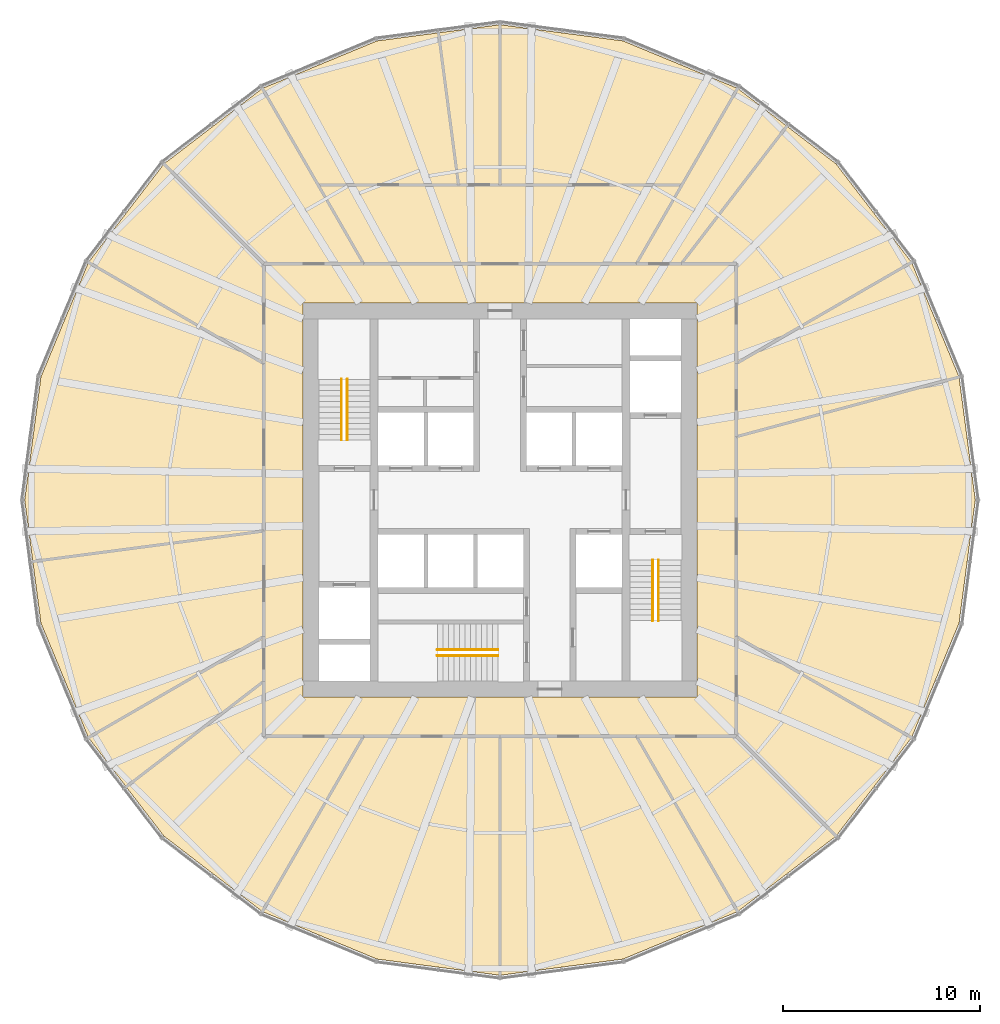
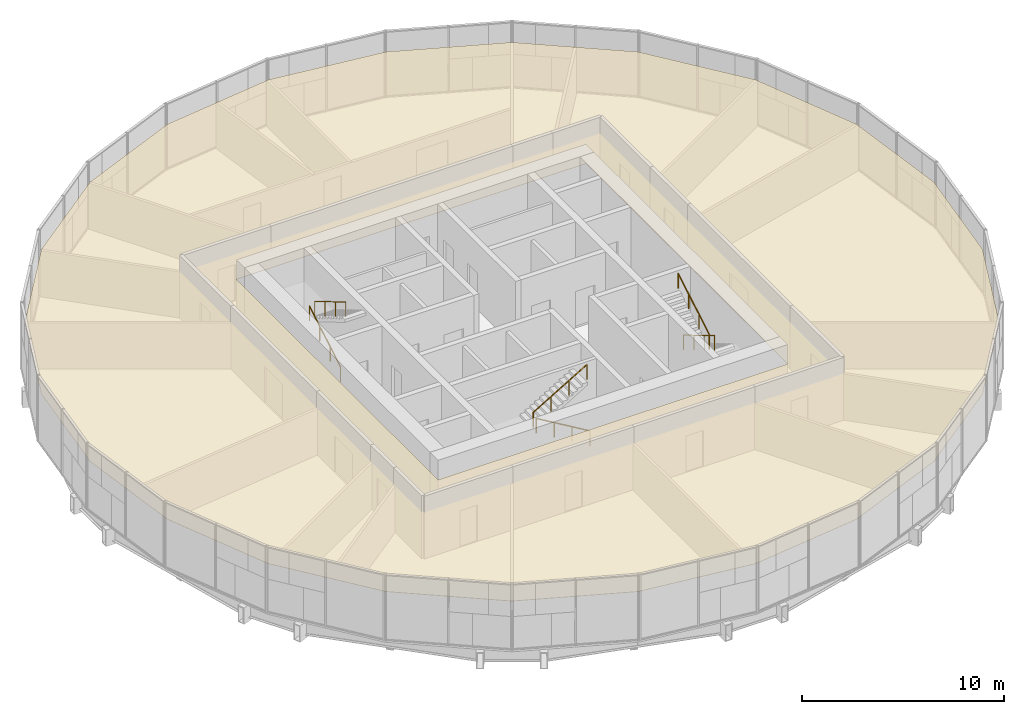
# One storey, part 13 of 13: 6 railings, 1 covering.
"""IFC4 building model written with IfcOpenShell, lengths in metres."""

from ifc_helpers import new_model, si_unit, direction, frame, origin, origin_2d, place, context, subcontext, project, spatial, polyline, circle, outline, extrude, material, layer, layer_set, type_object, element, save


model = new_model("IFC4")

# Units and contexts
model_context = context("Model", 3, precision=1e-05, world=origin(), true_north=direction((0.0, 1.0)))
body_context = subcontext(model_context, "Body", "Model", "MODEL_VIEW")
ifc_project = project(units=[si_unit("LENGTHUNIT", "METRE"), si_unit("AREAUNIT", "SQUARE_METRE"), si_unit("VOLUMEUNIT", "CUBIC_METRE"), si_unit("PLANEANGLEUNIT", "RADIAN"), si_unit("MASSUNIT", "GRAM", prefix="KILO")], contexts=[model_context])

# Site, building, storey
site_placement = place(None, origin())
site = spatial("IfcSite", under=ifc_project, at=site_placement, CompositionType="ELEMENT")
building_placement = place(site_placement, origin())
building = spatial("IfcBuilding", under=site, at=building_placement, Name="Golbaran Civic Tower", CompositionType="ELEMENT")
storey_placement = place(building_placement, frame((0.0, 0.0, 81.0)))
storey = spatial("IfcBuildingStorey", under=building, at=storey_placement, Name="L19", CompositionType="ELEMENT", Elevation=81.0)

# Railings
ifc_material_1 = material(Name="Stainless steel", Category="steel")
railing_type = type_object("IfcRailingType", Name="STAIR HANDRAIL 900", PredefinedType="HANDRAIL", material=ifc_material_1)
railing_1_placement = place(storey_placement, frame((-8.050048828125, 3.050048828125, 0.166748046875)))
element("IfcRailing", 1, at=railing_1_placement, inside=storey, type_object=railing_type, Name="Stair S1 handrail flight 1 L19", PredefinedType="HANDRAIL", context=body_context, shape_type="SweptSolid", body=[
    extrude(circle(Radius=0.02392578125, at=origin_2d()), frame((0.0, 0.0, 0.8759765625), z_axis=(0.0, 0.859290745958, 0.51148745235), x_axis=(-1.0, 0.0, 0.0)), (0.0, 0.0, 1.0), 3.584228515625),
    extrude(circle(Radius=0.02099609375, at=origin_2d()), origin(), (0.0, 0.0, 1.0), 0.851806640625),
    extrude(circle(Radius=0.02099609375, at=origin_2d()), frame((0.0, 1.026611328125, 0.611083984375)), (0.0, 0.0, 1.0), 0.851806640625),
    extrude(circle(Radius=0.02099609375, at=origin_2d()), frame((0.0, 2.05322265625, 1.22216796875)), (0.0, 0.0, 1.0), 0.851806640625),
    extrude(circle(Radius=0.02099609375, at=origin_2d()), frame((0.0, 3.079833984375, 1.833251953125)), (0.0, 0.0, 1.0), 0.851806640625),
])
for number, where, name in (
    (2, (-7.75, 6.1298828125, 2.166748046875), "Stair S1 handrail flight 2 L19"),
    (3, (8.050048828125, -3.050048828125, 0.166748046875), "Stair S2 handrail flight 1 L19"),
):
    element("IfcRailing", number, at=place(storey_placement, frame(where)), inside=storey, type_object=railing_type, Name=name, PredefinedType="HANDRAIL", context=body_context, shape_type="SweptSolid", body=[
        extrude(circle(Radius=0.02392578125, at=origin_2d()), frame((0.0, 0.0, 0.8759765625), z_axis=(0.0, -0.859290745958, 0.51148745235), x_axis=(1.0, 0.0, 0.0)), (0.0, 0.0, 1.0), 3.584228515625),
        extrude(circle(Radius=0.02099609375, at=origin_2d()), origin(), (0.0, 0.0, 1.0), 0.851806640625),
        extrude(circle(Radius=0.02099609375, at=origin_2d()), frame((0.0, -1.026611328125, 0.611083984375)), (0.0, 0.0, 1.0), 0.851806640625),
        extrude(circle(Radius=0.02099609375, at=origin_2d()), frame((0.0, -2.05322265625, 1.22216796875)), (0.0, 0.0, 1.0), 0.851806640625),
        extrude(circle(Radius=0.02099609375, at=origin_2d()), frame((0.0, -3.079833984375, 1.833251953125)), (0.0, 0.0, 1.0), 0.851806640625),
    ])
railing_2_placement = place(storey_placement, frame((7.75, -6.1298828125, 2.166748046875)))
element("IfcRailing", 4, at=railing_2_placement, inside=storey, type_object=railing_type, Name="Stair S2 handrail flight 2 L19", PredefinedType="HANDRAIL", context=body_context, shape_type="SweptSolid", body=[
    extrude(circle(Radius=0.02392578125, at=origin_2d()), frame((0.0, 0.0, 0.8759765625), z_axis=(0.0, 0.859290745958, 0.51148745235), x_axis=(-1.0, 0.0, 0.0)), (0.0, 0.0, 1.0), 3.584228515625),
    extrude(circle(Radius=0.02099609375, at=origin_2d()), origin(), (0.0, 0.0, 1.0), 0.851806640625),
    extrude(circle(Radius=0.02099609375, at=origin_2d()), frame((0.0, 1.026611328125, 0.611083984375)), (0.0, 0.0, 1.0), 0.851806640625),
    extrude(circle(Radius=0.02099609375, at=origin_2d()), frame((0.0, 2.05322265625, 1.22216796875)), (0.0, 0.0, 1.0), 0.851806640625),
    extrude(circle(Radius=0.02099609375, at=origin_2d()), frame((0.0, 3.079833984375, 1.833251953125)), (0.0, 0.0, 1.0), 0.851806640625),
])
railing_3_placement = place(storey_placement, frame((-0.10009765625, -7.89990234375, 0.166748046875)))
element("IfcRailing", 5, at=railing_3_placement, inside=storey, type_object=railing_type, Name="Stair S3 handrail flight 1 L19", PredefinedType="HANDRAIL", context=body_context, shape_type="SweptSolid", body=[
    extrude(circle(Radius=0.02392578125, at=origin_2d()), frame((0.0, 0.0, 0.8759765625), z_axis=(-0.859290745958, 0.0, 0.51148745235), x_axis=(0.0, -1.0, 0.0)), (0.0, 0.0, 1.0), 3.584228515625),
    extrude(circle(Radius=0.02099609375, at=origin_2d()), origin(), (0.0, 0.0, 1.0), 0.851806640625),
    extrude(circle(Radius=0.02099609375, at=origin_2d()), frame((-1.026611328125, 0.0, 0.611083984375)), (0.0, 0.0, 1.0), 0.851806640625),
    extrude(circle(Radius=0.02099609375, at=origin_2d()), frame((-2.05322265625, 0.0, 1.22216796875)), (0.0, 0.0, 1.0), 0.851806640625),
    extrude(circle(Radius=0.02099609375, at=origin_2d()), frame((-3.079833984375, 0.0, 1.833251953125)), (0.0, 0.0, 1.0), 0.851806640625),
])
railing_4_placement = place(storey_placement, frame((-3.179931640625, -7.60009765625, 2.166748046875)))
element("IfcRailing", 6, at=railing_4_placement, inside=storey, type_object=railing_type, Name="Stair S3 handrail flight 2 L19", PredefinedType="HANDRAIL", context=body_context, shape_type="SweptSolid", body=[
    extrude(circle(Radius=0.02392578125, at=origin_2d()), frame((0.0, 0.0, 0.8759765625), z_axis=(0.859290745958, 0.0, 0.51148745235), x_axis=(0.0, 1.0, 0.0)), (0.0, 0.0, 1.0), 3.584228515625),
    extrude(circle(Radius=0.02099609375, at=origin_2d()), origin(), (0.0, 0.0, 1.0), 0.851806640625),
    extrude(circle(Radius=0.02099609375, at=origin_2d()), frame((1.026611328125, 0.0, 0.611083984375)), (0.0, 0.0, 1.0), 0.851806640625),
    extrude(circle(Radius=0.02099609375, at=origin_2d()), frame((2.05322265625, 0.0, 1.22216796875)), (0.0, 0.0, 1.0), 0.851806640625),
    extrude(circle(Radius=0.02099609375, at=origin_2d()), frame((3.079833984375, 0.0, 1.833251953125)), (0.0, 0.0, 1.0), 0.851806640625),
])

# Covering
ifc_material_2 = material(Name="Mineral fibre tile on steel grid", Category="steel")
ifc_layer = layer(ifc_material_2, 0.02001953125, Name="Mineral fibre tile on steel grid")
ifc_layer_set = layer_set([ifc_layer], Name="Mineral fibre tile on steel grid")
covering_type = type_object("IfcCoveringType", Name="SUSPENDED CEILING 600 TILE 20", PredefinedType="CEILING", material=ifc_layer_set)
covering_placement = place(storey_placement, frame((0.0, 0.0, 2.800048828125)))
element("IfcCovering", 7, at=covering_placement, inside=storey, type_object=covering_type, Name="Suspended ceiling L19", PredefinedType="CEILING", context=body_context, shape_type="SweptSolid", body=[
    extrude(outline(polyline([(-24.139892578125, 0.0), (-23.3173828125, 6.247802734375), (-20.90576171875, 12.070068359375), (-17.069580078125, 17.069580078125), (-12.070068359375, 20.90576171875), (-6.247802734375, 23.3173828125), (0.0, 24.139892578125), (6.247802734375, 23.3173828125), (12.070068359375, 20.90576171875), (17.069580078125, 17.069580078125), (20.90576171875, 12.070068359375), (23.3173828125, 6.247802734375), (24.139892578125, 0.0), (23.3173828125, -6.247802734375), (20.90576171875, -12.070068359375), (17.069580078125, -17.069580078125), (12.070068359375, -20.90576171875), (6.247802734375, -23.3173828125), (0.0, -24.139892578125), (-6.247802734375, -23.3173828125), (-12.070068359375, -20.90576171875), (-17.069580078125, -17.069580078125), (-20.90576171875, -12.070068359375), (-23.3173828125, -6.247802734375), (-24.139892578125, 0.0)]), holes=[polyline([(10.0, 10.0), (-10.0, 10.0), (-10.0, -10.0), (10.0, -10.0), (10.0, 10.0)])]), origin(), (0.0, 0.0, 1.0), 0.02001953125),
])

save(model, "model.ifc")
